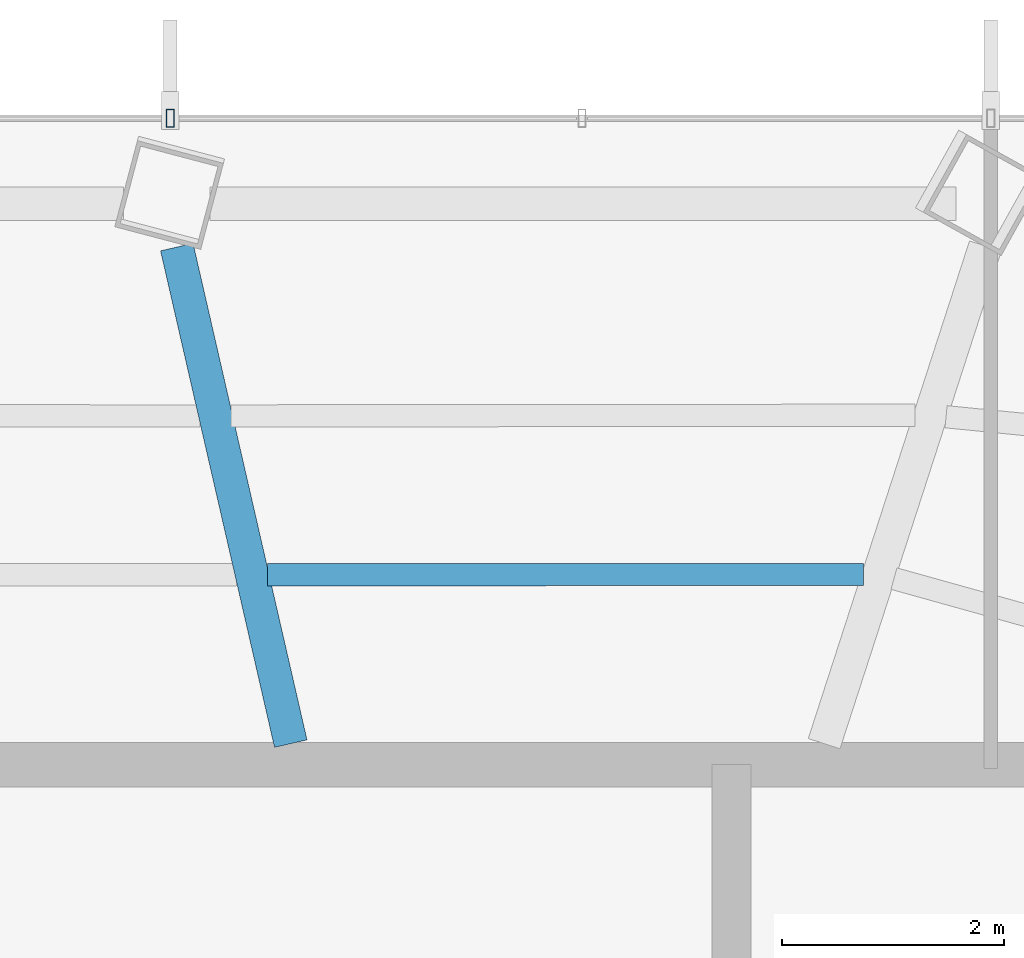
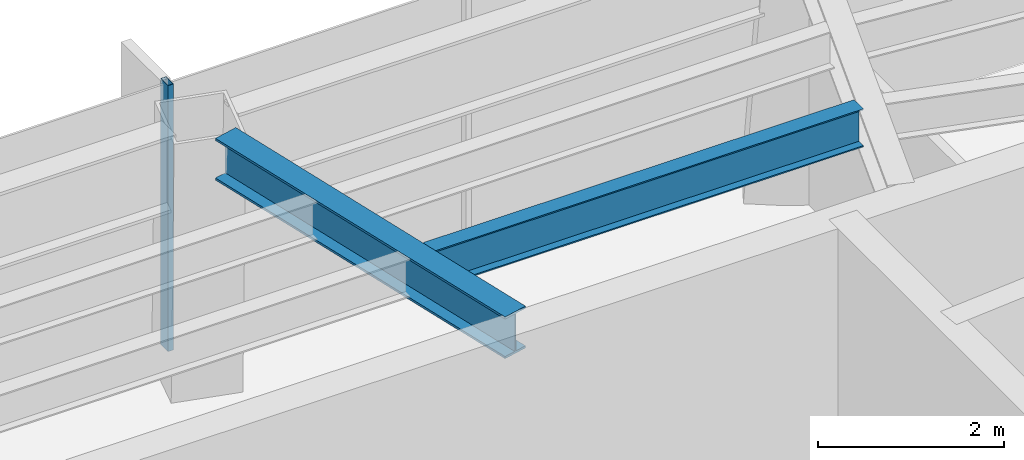
# One storey, part 15 of 30: 2 beams, 1 member, 1 element without a shape of its own.
"""IFC4 building model written with IfcOpenShell, lengths in metres."""

from ifc_helpers import new_model, si_unit, direction, frame, origin, origin_2d, place, context, subcontext, project, spatial, hollow_rectangle, i_section, extrude, material, layer, layer_set, material_profile, profile_set, type_object, element, aggregate, save


model = new_model("IFC4")

# Units and contexts
model_context = context("Model", 3, precision=1e-05, world=origin(), true_north=direction((0.0, 1.0)))
body_context = subcontext(model_context, "Body", "Model", "MODEL_VIEW")
ifc_project = project(units=[si_unit("LENGTHUNIT", "METRE"), si_unit("AREAUNIT", "SQUARE_METRE"), si_unit("VOLUMEUNIT", "CUBIC_METRE"), si_unit("PLANEANGLEUNIT", "RADIAN"), si_unit("MASSUNIT", "GRAM", prefix="KILO")], contexts=[model_context])

# Site, building, storey
site_placement = place(None, origin())
site = spatial("IfcSite", under=ifc_project, at=site_placement, CompositionType="ELEMENT")
building_placement = place(site_placement, origin())
building = spatial("IfcBuilding", under=site, at=building_placement, Name="Zarrinselat Tower", CompositionType="ELEMENT")
storey_placement = place(building_placement, frame((0.0, 0.0, 130.89990234375)))
storey = spatial("IfcBuildingStorey", under=building, at=storey_placement, Name="L31", CompositionType="ELEMENT", Elevation=130.89990234375)

# Beams
ifc_material_1 = material(Name="Steel S355J2", Category="steel")
ifc_material_profile_1 = material_profile(ifc_material_1, i_section(OverallWidth=0.300048828125, OverallDepth=0.550048828125, WebThickness=0.014892578125, FlangeThickness=0.029052734375, at=origin_2d()), Name="HEB 550")
ifc_profile_set_1 = profile_set([ifc_material_profile_1], Name="Steel S355J2")
beam_type_1 = type_object("IfcBeamType", Name="BM-HEB550", PredefinedType="BEAM", material=ifc_profile_set_1)
beam_1_placement = place(storey_placement, frame((39.974609375, 48.108154296875, 3.22509765625), z_axis=(0.223669189107, -0.97466511882, 0.0), x_axis=(0.97466511882, 0.223669189107, 0.0)))
element("IfcBeam", 1, at=beam_1_placement, inside=storey, type_object=beam_type_1, Name="L31 Radial Primary Girder RG03", PredefinedType="BEAM", context=body_context, shape_type="SweptSolid", body=[
    extrude(i_section(OverallWidth=0.300048828125, OverallDepth=0.550048828125, WebThickness=0.014892578125, FlangeThickness=0.029052734375, at=origin_2d()), origin(), (0.0, 0.0, 1.0), 4.58447265625),
])
ifc_material_2 = material(Name="Steel S355J2", Category="steel")
ifc_material_profile_2 = material_profile(ifc_material_2, i_section(OverallWidth=0.199951171875, OverallDepth=0.5, WebThickness=0.01025390625, FlangeThickness=0.01611328125, at=origin_2d()), Name="IPE 500")
ifc_profile_set_2 = profile_set([ifc_material_profile_2], Name="Steel S355J2")
beam_type_2 = type_object("IfcBeamType", Name="BM-IPE500", PredefinedType="JOIST", material=ifc_profile_set_2)
beam_2_placement = place(storey_placement, frame((40.79150390625, 45.1591796875, 3.25), z_axis=(0.999999824809, 0.000591931414, 0.0), x_axis=(-0.000591931414, 0.999999824809, 0.0)))
element("IfcBeam", 2, at=beam_2_placement, inside=storey, type_object=beam_type_2, Name="L31 Composite Floor Joist 7-2", PredefinedType="JOIST", context=body_context, shape_type="SweptSolid", body=[
    extrude(i_section(OverallWidth=0.199951171875, OverallDepth=0.5, WebThickness=0.01025390625, FlangeThickness=0.01611328125, at=origin_2d()), origin(), (0.0, 0.0, 1.0), 5.36181640625),
])

# Curtain wall, member
ifc_material_3 = material(Name="Extruded Aluminium Alloy EN AW-6063 T6", Category="aluminium")
ifc_layer = layer(ifc_material_3, 0.175048828125)
ifc_layer_set = layer_set([ifc_layer], Name="Extruded Aluminium Alloy EN AW-6063 T6")
curtain_wall_type = type_object("IfcCurtainWallType", Name="CWS-HTL", PredefinedType="NOTDEFINED", material=ifc_layer_set)
curtain_wall_placement = place(storey_placement, origin())
curtain_wall = element("IfcCurtainWall", 3, at=curtain_wall_placement, inside=storey, type_object=curtain_wall_type, Name="L31 Unitised Curtain Wall CW-L31-E01", PredefinedType="NOTDEFINED")
ifc_material_4 = material(Name="Extruded Aluminium Alloy EN AW-6063 T6", Category="aluminium")
ifc_material_profile_3 = material_profile(ifc_material_4, hollow_rectangle(XDim=0.070068359375, YDim=0.159912109375, WallThickness=0.00390625, at=origin_2d()), Name="RHS 160x70x4")
ifc_profile_set_3 = profile_set([ifc_material_profile_3], Name="Extruded Aluminium Alloy EN AW-6063 T6")
member_type = type_object("IfcMemberType", Name="MEM-CW-MUL2", PredefinedType="MULLION", material=ifc_profile_set_3)
member_placement = place(storey_placement, frame((39.91552734375, 49.2666015625, 0.0), z_axis=(0.0, 0.0, 1.0), x_axis=(-1.0, 0.0, 0.0)))
member = element("IfcMember", 4, at=member_placement, type_object=member_type, Name="CW-L31-E01 Mullion 5", PredefinedType="MULLION", context=body_context, shape_type="SweptSolid", body=[
    extrude(hollow_rectangle(XDim=0.070068359375, YDim=0.159912109375, WallThickness=0.00390625, at=origin_2d()), origin(), (0.0, 0.0, 1.0), 3.5),
])
aggregate(curtain_wall, [member])

save(model, "model.ifc")
